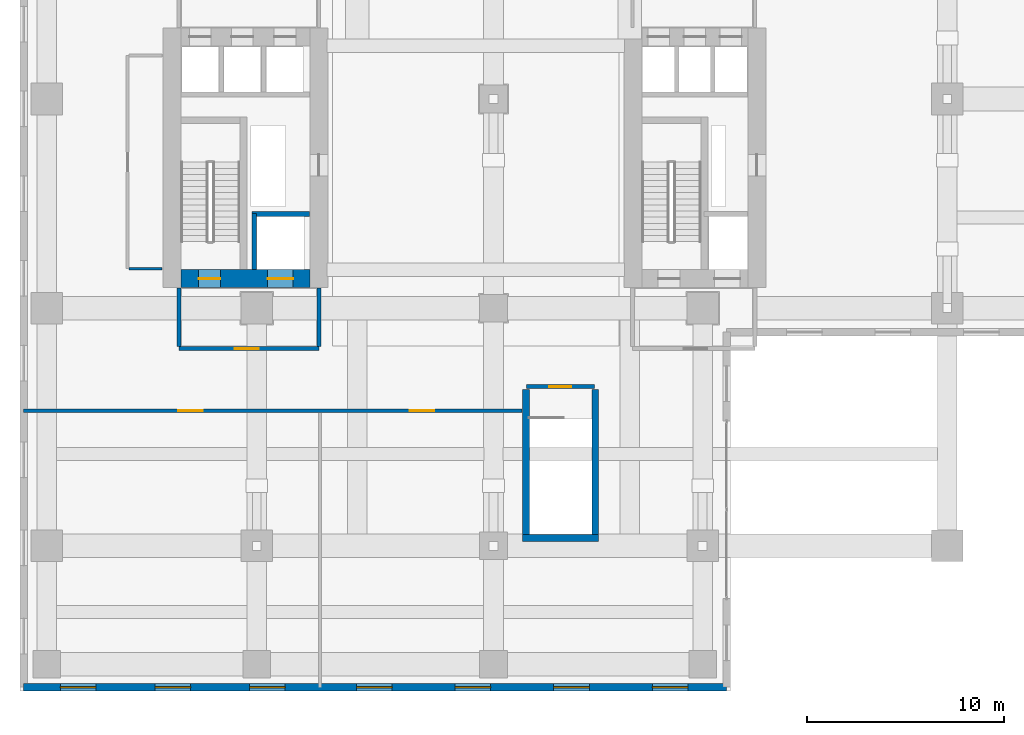
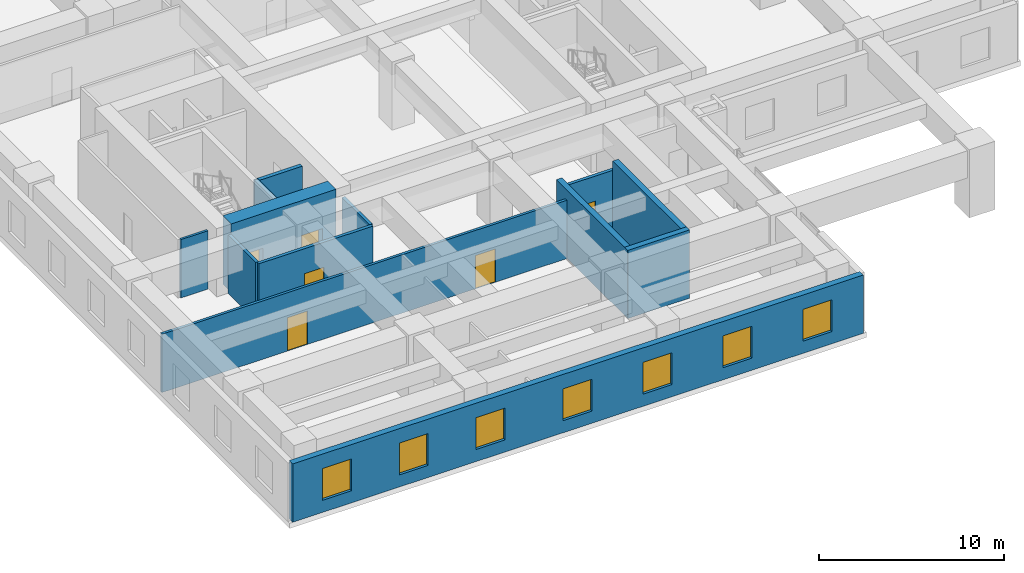
# One storey, part 24 of 33: 13 walls, 7 windows, 6 doors, 13 openings.
"""IFC4 building model written with IfcOpenShell, lengths in metres."""

from ifc_helpers import new_model, si_unit, direction, frame, frame_2d, origin, place, context, subcontext, project, spatial, rectangle, extrude, source, transform, mapped, material, layer, layer_set, type_object, element, fill, save


model = new_model("IFC4")

# Units and contexts
model_context = context("Model", 3, precision=1e-05, world=origin(), true_north=direction((0.0, 1.0)))
body_context = subcontext(model_context, "Body", "Model", "MODEL_VIEW")
ifc_project = project(units=[si_unit("LENGTHUNIT", "METRE"), si_unit("AREAUNIT", "SQUARE_METRE"), si_unit("VOLUMEUNIT", "CUBIC_METRE"), si_unit("PLANEANGLEUNIT", "RADIAN"), si_unit("MASSUNIT", "GRAM", prefix="KILO")], contexts=[model_context])

# Site, building, storey
site_placement = place(None, origin())
site = spatial("IfcSite", under=ifc_project, at=site_placement, CompositionType="ELEMENT")
building_placement = place(site_placement, origin())
building = spatial("IfcBuilding", under=site, at=building_placement, Name="Khoralis Quay Care Tower", CompositionType="ELEMENT")
storey_placement = place(building_placement, frame((0.0, 0.0, 18.0)))
storey = spatial("IfcBuildingStorey", under=building, at=storey_placement, Name="L04", CompositionType="ELEMENT", Elevation=18.0)

# Wall, opening, door
ifc_material_1 = material(Name="Gypsum plasterboard on acoustic metal stud")
ifc_layer_1 = layer(ifc_material_1, 0.199951171875)
ifc_layer_set_1 = layer_set([ifc_layer_1], Name="Gypsum plasterboard on acoustic metal stud")
wall_type_1 = type_object("IfcWallType", Name="WL-COMP-200", PredefinedType="PARTITIONING", material=ifc_layer_set_1)
wall_1_placement = place(storey_placement, frame((8.050048828125, 11.35009765625, 0.0), z_axis=(0.0, 0.0, 1.0), x_axis=(1.0, 0.0, 0.0)))
wall_1 = element("IfcWall", 1, at=wall_1_placement, inside=storey, type_object=wall_type_1, Name="L04 West Firefighting Lobby South Wall", PredefinedType="PARTITIONING", context=body_context, shape_type="SweptSolid", body=[
    extrude(rectangle(XDim=7.099853515625, YDim=0.199951171875, at=frame_2d((3.5498046875, 0.0))), origin(), (0.0, 0.0, 1.0), 3.85009765625),
])
opening_1_placement = place(wall_1_placement, frame((2.846435546875, 0.0, 0.0)))
opening_1 = element("IfcOpeningElement", 2, at=opening_1_placement, cuts=wall_1, Name="Opening FD1", PredefinedType="OPENING", context=body_context, shape_type="SweptSolid", body=[
    extrude(rectangle(XDim=1.199951171875, YDim=2.199951171875, at=frame_2d((0.60009765625, 1.10009765625))), frame((0.0, 0.10986328125, 0.0), z_axis=(0.0, -1.0, 0.0), x_axis=(1.0, 0.0, 0.0)), (0.0, 0.0, 1.0), 0.219970703125),
])
ifc_material_2 = material(Name="Fire-rated painted steel", Category="steel")
door_type_1 = type_object("IfcDoorType", Name="DR-FFL-1200X2200", OperationType="NOTDEFINED", PredefinedType="DOOR", material=ifc_material_2)
shared_shape_1 = source(origin(), body_context, "Body", "SweptSolid", [
    extrude(rectangle(XDim=1.199951171875, YDim=2.199951171875, at=frame_2d((0.60009765625, 1.10009765625))), frame((0.0, 0.02490234375, 0.0), z_axis=(0.0, -1.0, 0.0), x_axis=(1.0, 0.0, 0.0)), (0.0, 0.0, 1.0), 0.050048828125),
])
door_1_placement = place(opening_1_placement, origin())
door_1 = element("IfcDoor", 3, at=door_1_placement, inside=storey, type_object=door_type_1, Name="L04 West Firefighting Lobby Fire Door", OperationType="SINGLE_SWING_RIGHT", OverallHeight=2.199951171875, OverallWidth=1.199951171875, PredefinedType="DOOR", context=body_context, shape_type="MappedRepresentation", body=[
    mapped(shared_shape_1, transform((0.0, 0.0, 0.0), scale=1.0)),
])
fill(opening_1, door_1)

# Walls
for number, where, z_axis, x_axis, name in (
    (4, (8.050048828125, 11.445068359375, 0.0), (0.0, 0.0, 1.0), (0.0, 1.0, 0.0), "L04 West Firefighting Lobby West Wall"),
    (5, (15.14990234375, 11.445068359375, 0.0), (0.0, 0.0, 1.0), (0.0, 1.0, 0.0), "L04 West Firefighting Lobby East Wall"),
):
    element("IfcWall", number, at=place(storey_placement, frame(where, z_axis=z_axis, x_axis=x_axis)), inside=storey, type_object=wall_type_1, Name=name, PredefinedType="PARTITIONING", context=body_context, shape_type="SweptSolid", body=[
        extrude(rectangle(XDim=2.98486328125, YDim=0.199951171875, at=frame_2d((1.492431640625, 0.0))), origin(), (0.0, 0.0, 1.0), 3.85009765625),
    ])

# Wall, opening, door
wall_2_placement = place(storey_placement, frame((25.679931640625, 9.419921875, 0.0), z_axis=(0.0, 0.0, 1.0), x_axis=(1.0, 0.0, 0.0)))
wall_2 = element("IfcWall", 6, at=wall_2_placement, inside=storey, type_object=wall_type_1, Name="L04 Podium Stair ST-P1 North Wall", PredefinedType="PARTITIONING", context=body_context, shape_type="SweptSolid", body=[
    extrude(rectangle(XDim=3.440185546875, YDim=0.199951171875, at=frame_2d((1.72021484375, 0.0))), origin(), (0.0, 0.0, 1.0), 3.85009765625),
])
opening_2_placement = place(wall_2_placement, frame((1.14990234375, 0.0, 0.0)))
opening_2 = element("IfcOpeningElement", 7, at=opening_2_placement, cuts=wall_2, Name="Opening SD1", PredefinedType="OPENING", context=body_context, shape_type="SweptSolid", body=[
    extrude(rectangle(XDim=1.10009765625, YDim=2.199951171875, at=frame_2d((0.550048828125, 1.10009765625))), frame((0.0, 0.10986328125, 0.0), z_axis=(0.0, -1.0, 0.0), x_axis=(1.0, 0.0, 0.0)), (0.0, 0.0, 1.0), 0.219970703125),
])
door_type_2 = type_object("IfcDoorType", Name="DR-STAIR-1100X2200", OperationType="NOTDEFINED", PredefinedType="DOOR", material=ifc_material_2)
shared_shape_2 = source(origin(), body_context, "Body", "SweptSolid", [
    extrude(rectangle(XDim=1.10009765625, YDim=2.199951171875, at=frame_2d((0.550048828125, 1.10009765625))), frame((0.0, 0.02490234375, 0.0), z_axis=(0.0, -1.0, 0.0), x_axis=(1.0, 0.0, 0.0)), (0.0, 0.0, 1.0), 0.050048828125),
])
door_2_placement = place(opening_2_placement, frame((1.10009765625, 0.0, 0.0), z_axis=(0.0, 0.0, 1.0), x_axis=(-1.0, 0.0, 0.0)))
door_2 = element("IfcDoor", 8, at=door_2_placement, inside=storey, type_object=door_type_2, Name="L04 Stair ST-P1 Fire Door", OperationType="SINGLE_SWING_LEFT", OverallHeight=2.199951171875, OverallWidth=1.10009765625, PredefinedType="DOOR", context=body_context, shape_type="MappedRepresentation", body=[
    mapped(shared_shape_2, transform((0.0, 0.0, 0.0), scale=1.0)),
])
fill(opening_2, door_2)

# Wall, openings, doors
ifc_material_3 = material(Name="Concrete C80/95", Category="concrete")
ifc_layer_2 = layer(ifc_material_3, 0.89990234375)
ifc_layer_set_2 = layer_set([ifc_layer_2], Name="Concrete C80/95")
wall_type_2 = type_object("IfcWallType", Name="WL-CORE-900", PredefinedType="SHEAR", material=ifc_layer_set_2)
wall_3_placement = place(storey_placement, frame((8.14990234375, 14.89990234375, 0.0), z_axis=(0.0, 0.0, 1.0), x_axis=(1.0, 0.0, 0.0)))
wall_3 = element("IfcWall", 9, at=wall_3_placement, inside=storey, type_object=wall_type_2, Name="L04 WCORE South Shear Wall", PredefinedType="SHEAR", context=body_context, shape_type="SweptSolid", body=[
    extrude(rectangle(XDim=6.550048828125, YDim=0.89990234375, at=frame_2d((3.27490234375, 0.0))), origin(), (0.0, 0.0, 1.0), 4.5),
])
opening_3_placement = place(wall_3_placement, frame((0.89990234375, 0.0, 0.0)))
opening_3 = element("IfcOpeningElement", 10, at=opening_3_placement, cuts=wall_3, Name="Opening SD1", PredefinedType="OPENING", context=body_context, shape_type="SweptSolid", body=[
    extrude(rectangle(XDim=1.10009765625, YDim=2.199951171875, at=frame_2d((0.550048828125, 1.10009765625))), frame((0.0, 0.4599609375, 0.0), z_axis=(0.0, -1.0, 0.0), x_axis=(1.0, 0.0, 0.0)), (0.0, 0.0, 1.0), 0.919921875),
])
opening_4_placement = place(wall_3_placement, frame((4.39990234375, 0.0, 0.0)))
opening_4 = element("IfcOpeningElement", 11, at=opening_4_placement, cuts=wall_3, Name="Opening LD2", PredefinedType="OPENING", context=body_context, shape_type="SweptSolid", body=[
    extrude(rectangle(XDim=1.300048828125, YDim=2.199951171875, at=frame_2d((0.64990234375, 1.10009765625))), frame((0.0, 0.4599609375, 0.0), z_axis=(0.0, -1.0, 0.0), x_axis=(1.0, 0.0, 0.0)), (0.0, 0.0, 1.0), 0.919921875),
])
door_3_placement = place(opening_3_placement, origin())
door_3 = element("IfcDoor", 12, at=door_3_placement, inside=storey, type_object=door_type_2, Name="L04 Stair ST-T1 Fire Door", OperationType="SINGLE_SWING_RIGHT", OverallHeight=2.199951171875, OverallWidth=1.10009765625, PredefinedType="DOOR", context=body_context, shape_type="MappedRepresentation", body=[
    mapped(shared_shape_2, transform((0.0, 0.0, 0.0), scale=1.0)),
])
fill(opening_3, door_3)
ifc_material_4 = material(Name="Brushed stainless steel", Category="steel")
door_type_3 = type_object("IfcDoorType", Name="DR-LIFT-1300X2200", OperationType="SLIDING_TO_RIGHT", PredefinedType="DOOR", material=ifc_material_4)
shared_shape_3 = source(origin(), body_context, "Body", "SweptSolid", [
    extrude(rectangle(XDim=1.300048828125, YDim=2.199951171875, at=frame_2d((0.64990234375, 1.10009765625))), frame((0.0, 0.02490234375, 0.0), z_axis=(0.0, -1.0, 0.0), x_axis=(1.0, 0.0, 0.0)), (0.0, 0.0, 1.0), 0.050048828125),
])
door_4_placement = place(opening_4_placement, origin())
door_4 = element("IfcDoor", 13, at=door_4_placement, inside=storey, type_object=door_type_3, Name="L04 Firefighting Lift FFL-1 Landing Door", OperationType="SLIDING_TO_RIGHT", OverallHeight=2.199951171875, OverallWidth=1.300048828125, PredefinedType="DOOR", context=body_context, shape_type="MappedRepresentation", body=[
    mapped(shared_shape_3, transform((0.0, 0.0, 0.0), scale=1.0)),
])
fill(opening_4, door_4)

ifc_layer_3 = layer(ifc_material_1, 0.1650390625)
ifc_layer_set_3 = layer_set([ifc_layer_3], Name="Gypsum plasterboard on acoustic metal stud")
wall_type_3 = type_object("IfcWallType", Name="WL-CORR-165", PredefinedType="PARTITIONING", material=ifc_layer_set_3)
wall_4_placement = place(storey_placement, frame((0.18505859375, 8.199951171875, 0.0), z_axis=(0.0, 0.0, 1.0), x_axis=(1.0, 0.0, 0.0)))
wall_4 = element("IfcWall", 14, at=wall_4_placement, inside=storey, type_object=wall_type_3, Name="L04 Podium South Concourse Wall", PredefinedType="PARTITIONING", context=body_context, shape_type="SweptSolid", body=[
    extrude(rectangle(XDim=25.264892578125, YDim=0.1650390625, at=frame_2d((12.63232421875, 0.0))), origin(), (0.0, 0.0, 1.0), 3.85009765625),
])
opening_5_placement = place(wall_4_placement, frame((7.840087890625, 0.0, 0.0)))
opening_5 = element("IfcOpeningElement", 15, at=opening_5_placement, cuts=wall_4, Name="Opening CD1", PredefinedType="OPENING", context=body_context, shape_type="SweptSolid", body=[
    extrude(rectangle(XDim=1.25, YDim=2.199951171875, at=frame_2d((0.625, 1.10009765625))), frame((0.0, 0.092529296875, 0.0), z_axis=(0.0, -1.0, 0.0), x_axis=(1.0, 0.0, 0.0)), (0.0, 0.0, 1.0), 0.18505859375),
])
opening_6_placement = place(wall_4_placement, frame((19.56494140625, 0.0, 0.0)))
opening_6 = element("IfcOpeningElement", 16, at=opening_6_placement, cuts=wall_4, Name="Opening CD1", PredefinedType="OPENING", context=body_context, shape_type="SweptSolid", body=[
    extrude(rectangle(XDim=1.25, YDim=2.199951171875, at=frame_2d((0.625, 1.10009765625))), frame((0.0, 0.092529296875, 0.0), z_axis=(0.0, -1.0, 0.0), x_axis=(1.0, 0.0, 0.0)), (0.0, 0.0, 1.0), 0.18505859375),
])
ifc_material_5 = material(Name="Acoustic hardwood timber", Category="wood")
door_type_4 = type_object("IfcDoorType", Name="DR-CARE-1250X2200", OperationType="NOTDEFINED", PredefinedType="DOOR", material=ifc_material_5)
shared_shape_4 = source(origin(), body_context, "Body", "SweptSolid", [
    extrude(rectangle(XDim=1.25, YDim=2.199951171875, at=frame_2d((0.625, 1.10009765625))), frame((0.0, 0.02490234375, 0.0), z_axis=(0.0, -1.0, 0.0), x_axis=(1.0, 0.0, 0.0)), (0.0, 0.0, 1.0), 0.050048828125),
])
door_5_placement = place(opening_5_placement, frame((1.25, 0.0, 0.0), z_axis=(0.0, 0.0, 1.0), x_axis=(-1.0, 0.0, 0.0)))
door_5 = element("IfcDoor", 17, at=door_5_placement, inside=storey, type_object=door_type_4, Name="L04 Memory-Care Day Hospital Clinic Door", OperationType="SINGLE_SWING_LEFT", OverallHeight=2.199951171875, OverallWidth=1.25, PredefinedType="DOOR", context=body_context, shape_type="MappedRepresentation", body=[
    mapped(shared_shape_4, transform((0.0, 0.0, 0.0), scale=1.0)),
])
fill(opening_5, door_5)
door_6_placement = place(opening_6_placement, frame((1.25, 0.0, 0.0), z_axis=(0.0, 0.0, 1.0), x_axis=(-1.0, 0.0, 0.0)))
door_6 = element("IfcDoor", 18, at=door_6_placement, inside=storey, type_object=door_type_4, Name="L04 Intergenerational Art Atelier Door", OperationType="SINGLE_SWING_RIGHT", OverallHeight=2.199951171875, OverallWidth=1.25, PredefinedType="DOOR", context=body_context, shape_type="MappedRepresentation", body=[
    mapped(shared_shape_4, transform((0.0, 0.0, 0.0), scale=1.0)),
])
fill(opening_6, door_6)

# Wall, openings, windows
ifc_material_6 = material(Name="Precast concrete C45/55", Category="concrete")
ifc_layer_4 = layer(ifc_material_6, 0.3798828125)
ifc_layer_set_4 = layer_set([ifc_layer_4], Name="Precast concrete C45/55")
wall_type_4 = type_object("IfcWallType", Name="WL-EXT-POD-380", PredefinedType="SOLIDWALL", material=ifc_layer_set_4)
wall_5_placement = place(storey_placement, frame((0.18994140625, -5.81005859375, 0.0), z_axis=(0.0, 0.0, 1.0), x_axis=(1.0, 0.0, 0.0)))
wall_5 = element("IfcWall", 19, at=wall_5_placement, inside=storey, type_object=wall_type_4, Name="L04 External Facade Wall WL-POD-L04-E0", PredefinedType="SOLIDWALL", context=body_context, shape_type="SweptSolid", body=[
    extrude(rectangle(XDim=35.6201171875, YDim=0.3798828125, at=frame_2d((17.81005859375, 0.0))), origin(), (0.0, 0.0, 1.0), 3.85009765625),
])
opening_7_placement = place(wall_5_placement, frame((1.8583984375, 0.0, 0.800048828125)))
opening_7 = element("IfcOpeningElement", 20, at=opening_7_placement, cuts=wall_5, Name="Opening W2", PredefinedType="OPENING", context=body_context, shape_type="SweptSolid", body=[
    extrude(rectangle(XDim=1.800048828125, YDim=2.10009765625, at=frame_2d((0.89990234375, 1.050048828125))), frame((0.0, 0.199951171875, 0.0), z_axis=(0.0, -1.0, 0.0), x_axis=(1.0, 0.0, 0.0)), (0.0, 0.0, 1.0), 0.39990234375),
])
opening_8_placement = place(wall_5_placement, frame((6.655029296875, 0.0, 0.800048828125)))
opening_8 = element("IfcOpeningElement", 21, at=opening_8_placement, cuts=wall_5, Name="Opening W2", PredefinedType="OPENING", context=body_context, shape_type="SweptSolid", body=[
    extrude(rectangle(XDim=1.800048828125, YDim=2.10009765625, at=frame_2d((0.89990234375, 1.050048828125))), frame((0.0, 0.199951171875, 0.0), z_axis=(0.0, -1.0, 0.0), x_axis=(1.0, 0.0, 0.0)), (0.0, 0.0, 1.0), 0.39990234375),
])
opening_9_placement = place(wall_5_placement, frame((11.45166015625, 0.0, 0.800048828125)))
opening_9 = element("IfcOpeningElement", 22, at=opening_9_placement, cuts=wall_5, Name="Opening W2", PredefinedType="OPENING", context=body_context, shape_type="SweptSolid", body=[
    extrude(rectangle(XDim=1.800048828125, YDim=2.10009765625, at=frame_2d((0.89990234375, 1.050048828125))), frame((0.0, 0.199951171875, 0.0), z_axis=(0.0, -1.0, 0.0), x_axis=(1.0, 0.0, 0.0)), (0.0, 0.0, 1.0), 0.39990234375),
])
opening_10_placement = place(wall_5_placement, frame((16.868896484375, 0.0, 0.800048828125)))
opening_10 = element("IfcOpeningElement", 23, at=opening_10_placement, cuts=wall_5, Name="Opening W2", PredefinedType="OPENING", context=body_context, shape_type="SweptSolid", body=[
    extrude(rectangle(XDim=1.800048828125, YDim=2.10009765625, at=frame_2d((0.89990234375, 1.050048828125))), frame((0.0, 0.199951171875, 0.0), z_axis=(0.0, -1.0, 0.0), x_axis=(1.0, 0.0, 0.0)), (0.0, 0.0, 1.0), 0.39990234375),
])
opening_11_placement = place(wall_5_placement, frame((21.8662109375, 0.0, 0.800048828125)))
opening_11 = element("IfcOpeningElement", 24, at=opening_11_placement, cuts=wall_5, Name="Opening W2", PredefinedType="OPENING", context=body_context, shape_type="SweptSolid", body=[
    extrude(rectangle(XDim=1.800048828125, YDim=2.10009765625, at=frame_2d((0.89990234375, 1.050048828125))), frame((0.0, 0.199951171875, 0.0), z_axis=(0.0, -1.0, 0.0), x_axis=(1.0, 0.0, 0.0)), (0.0, 0.0, 1.0), 0.39990234375),
])
opening_12_placement = place(wall_5_placement, frame((26.86376953125, 0.0, 0.800048828125)))
opening_12 = element("IfcOpeningElement", 25, at=opening_12_placement, cuts=wall_5, Name="Opening W2", PredefinedType="OPENING", context=body_context, shape_type="SweptSolid", body=[
    extrude(rectangle(XDim=1.800048828125, YDim=2.10009765625, at=frame_2d((0.89990234375, 1.050048828125))), frame((0.0, 0.199951171875, 0.0), z_axis=(0.0, -1.0, 0.0), x_axis=(1.0, 0.0, 0.0)), (0.0, 0.0, 1.0), 0.39990234375),
])
opening_13_placement = place(wall_5_placement, frame((31.861328125, 0.0, 0.800048828125)))
opening_13 = element("IfcOpeningElement", 26, at=opening_13_placement, cuts=wall_5, Name="Opening W2", PredefinedType="OPENING", context=body_context, shape_type="SweptSolid", body=[
    extrude(rectangle(XDim=1.800048828125, YDim=2.10009765625, at=frame_2d((0.89990234375, 1.050048828125))), frame((0.0, 0.199951171875, 0.0), z_axis=(0.0, -1.0, 0.0), x_axis=(1.0, 0.0, 0.0)), (0.0, 0.0, 1.0), 0.39990234375),
])
ifc_material_7 = material(Name="Low-E solar-control double glazing", Category="glass")
window_type = type_object("IfcWindowType", Name="WN-POD-1800X2100", PartitioningType="SINGLE_PANEL", PredefinedType="WINDOW", material=ifc_material_7)
shared_shape_5 = source(origin(), body_context, "Body", "SweptSolid", [
    extrude(rectangle(XDim=1.800048828125, YDim=2.10009765625, at=frame_2d((0.89990234375, 1.050048828125))), frame((0.0, 0.030029296875, 0.0), z_axis=(0.0, -1.0, 0.0), x_axis=(1.0, 0.0, 0.0)), (0.0, 0.0, 1.0), 0.06005859375),
])
window_1_placement = place(opening_7_placement, origin())
window_1 = element("IfcWindow", 27, at=window_1_placement, inside=storey, type_object=window_type, Name="WN-POD-L04-E0 Facade Window 01", OverallHeight=2.10009765625, OverallWidth=1.800048828125, PartitioningType="SINGLE_PANEL", PredefinedType="WINDOW", context=body_context, shape_type="MappedRepresentation", body=[
    mapped(shared_shape_5, transform((0.0, 0.0, 0.0), scale=1.0)),
])
fill(opening_7, window_1)
window_2_placement = place(opening_8_placement, origin())
window_2 = element("IfcWindow", 28, at=window_2_placement, inside=storey, type_object=window_type, Name="WN-POD-L04-E0 Facade Window 02", OverallHeight=2.10009765625, OverallWidth=1.800048828125, PartitioningType="SINGLE_PANEL", PredefinedType="WINDOW", context=body_context, shape_type="MappedRepresentation", body=[
    mapped(shared_shape_5, transform((0.0, 0.0, 0.0), scale=1.0)),
])
fill(opening_8, window_2)
window_3_placement = place(opening_9_placement, origin())
window_3 = element("IfcWindow", 29, at=window_3_placement, inside=storey, type_object=window_type, Name="WN-POD-L04-E0 Facade Window 03", OverallHeight=2.10009765625, OverallWidth=1.800048828125, PartitioningType="SINGLE_PANEL", PredefinedType="WINDOW", context=body_context, shape_type="MappedRepresentation", body=[
    mapped(shared_shape_5, transform((0.0, 0.0, 0.0), scale=1.0)),
])
fill(opening_9, window_3)
window_4_placement = place(opening_10_placement, origin())
window_4 = element("IfcWindow", 30, at=window_4_placement, inside=storey, type_object=window_type, Name="WN-POD-L04-E0 Facade Window 04", OverallHeight=2.10009765625, OverallWidth=1.800048828125, PartitioningType="SINGLE_PANEL", PredefinedType="WINDOW", context=body_context, shape_type="MappedRepresentation", body=[
    mapped(shared_shape_5, transform((0.0, 0.0, 0.0), scale=1.0)),
])
fill(opening_10, window_4)
window_5_placement = place(opening_11_placement, origin())
window_5 = element("IfcWindow", 31, at=window_5_placement, inside=storey, type_object=window_type, Name="WN-POD-L04-E0 Facade Window 05", OverallHeight=2.10009765625, OverallWidth=1.800048828125, PartitioningType="SINGLE_PANEL", PredefinedType="WINDOW", context=body_context, shape_type="MappedRepresentation", body=[
    mapped(shared_shape_5, transform((0.0, 0.0, 0.0), scale=1.0)),
])
fill(opening_11, window_5)
window_6_placement = place(opening_12_placement, origin())
window_6 = element("IfcWindow", 32, at=window_6_placement, inside=storey, type_object=window_type, Name="WN-POD-L04-E0 Facade Window 06", OverallHeight=2.10009765625, OverallWidth=1.800048828125, PartitioningType="SINGLE_PANEL", PredefinedType="WINDOW", context=body_context, shape_type="MappedRepresentation", body=[
    mapped(shared_shape_5, transform((0.0, 0.0, 0.0), scale=1.0)),
])
fill(opening_12, window_6)
window_7_placement = place(opening_13_placement, origin())
window_7 = element("IfcWindow", 33, at=window_7_placement, inside=storey, type_object=window_type, Name="WN-POD-L04-E0 Facade Window 07", OverallHeight=2.10009765625, OverallWidth=1.800048828125, PartitioningType="SINGLE_PANEL", PredefinedType="WINDOW", context=body_context, shape_type="MappedRepresentation", body=[
    mapped(shared_shape_5, transform((0.0, 0.0, 0.0), scale=1.0)),
])
fill(opening_13, window_7)

# Walls
ifc_material_8 = material(Name="Concrete C40/50", Category="concrete")
ifc_layer_5 = layer(ifc_material_8, 0.35009765625)
ifc_layer_set_5 = layer_set([ifc_layer_5], Name="Concrete C40/50")
wall_type_5 = type_object("IfcWallType", Name="WL-SC-CORE-350", PredefinedType="SHEAR", material=ifc_layer_set_5)
for number, where, z_axis, x_axis, name in (
    (34, (25.64501953125, 1.570068359375, 0.0), (0.0, 0.0, 1.0), (0.0, 1.0, 0.0), "L04 Podium Stair ST-P1 West Shear Wall"),
    (35, (29.155029296875, 1.570068359375, 0.0), (0.0, 0.0, 1.0), (0.0, 1.0, 0.0), "L04 Podium Stair ST-P1 East Shear Wall"),
):
    element("IfcWall", number, at=place(storey_placement, frame(where, z_axis=z_axis, x_axis=x_axis)), inside=storey, type_object=wall_type_5, Name=name, PredefinedType="SHEAR", context=body_context, shape_type="SweptSolid", body=[
        extrude(rectangle(XDim=7.7099609375, YDim=0.35009765625, at=frame_2d((3.85498046875, 0.0))), origin(), (0.0, 0.0, 1.0), 4.5),
    ])
wall_6_placement = place(storey_placement, frame((25.469970703125, 1.7451171875, 0.0), z_axis=(0.0, 0.0, 1.0), x_axis=(1.0, 0.0, 0.0)))
element("IfcWall", 36, at=wall_6_placement, inside=storey, type_object=wall_type_5, Name="L04 Podium Stair ST-P1 South Shear Wall", PredefinedType="SHEAR", context=body_context, shape_type="SweptSolid", body=[
    extrude(rectangle(XDim=3.860107421875, YDim=0.35009765625, at=frame_2d((1.93017578125, 0.0))), origin(), (0.0, 0.0, 1.0), 4.5),
])
ifc_layer_6 = layer(ifc_material_1, 0.239990234375)
ifc_layer_set_6 = layer_set([ifc_layer_6], Name="Gypsum plasterboard on acoustic metal stud")
wall_type_6 = type_object("IfcWallType", Name="WL-SHAFT-240", PredefinedType="PARTITIONING", material=ifc_layer_set_6)
wall_7_placement = place(storey_placement, frame((11.8798828125, 15.35009765625, 0.0), z_axis=(0.0, 0.0, 1.0), x_axis=(0.0, 1.0, 0.0)))
element("IfcWall", 37, at=wall_7_placement, inside=storey, type_object=wall_type_6, Name="L04 FFL-1 Shaft Wall West", PredefinedType="PARTITIONING", context=body_context, shape_type="SweptSolid", body=[
    extrude(rectangle(XDim=2.849853515625, YDim=0.239990234375, at=frame_2d((1.4248046875, 0.0))), origin(), (0.0, 0.0, 1.0), 3.85009765625),
])
wall_8_placement = place(storey_placement, frame((11.760009765625, 18.169921875, 0.0), z_axis=(0.0, 0.0, 1.0), x_axis=(1.0, 0.0, 0.0)))
element("IfcWall", 38, at=wall_8_placement, inside=storey, type_object=wall_type_6, Name="L04 FFL-1 Shaft Wall North", PredefinedType="PARTITIONING", context=body_context, shape_type="SweptSolid", body=[
    extrude(rectangle(XDim=2.919921875, YDim=0.239990234375, at=frame_2d((1.4599609375, 0.0))), origin(), (0.0, 0.0, 1.0), 3.85009765625),
])
ifc_layer_7 = layer(ifc_material_1, 0.139892578125)
ifc_layer_set_7 = layer_set([ifc_layer_7], Name="Gypsum plasterboard on acoustic metal stud")
wall_type_7 = type_object("IfcWallType", Name="WL-UNIT-140", PredefinedType="PARTITIONING", material=ifc_layer_set_7)
wall_9_placement = place(storey_placement, frame((5.527587890625, 15.39990234375, 0.0), z_axis=(0.0, 0.0, 1.0), x_axis=(1.0, 0.0, 0.0)))
element("IfcWall", 39, at=wall_9_placement, inside=storey, type_object=wall_type_7, Name="L04 West Flank South Cap", PredefinedType="PARTITIONING", context=body_context, shape_type="SweptSolid", body=[
    extrude(rectangle(XDim=1.682373046875, YDim=0.139892578125, at=frame_2d((0.84130859375, 0.0))), origin(), (0.0, 0.0, 1.0), 3.85009765625),
])

save(model, "model.ifc")
